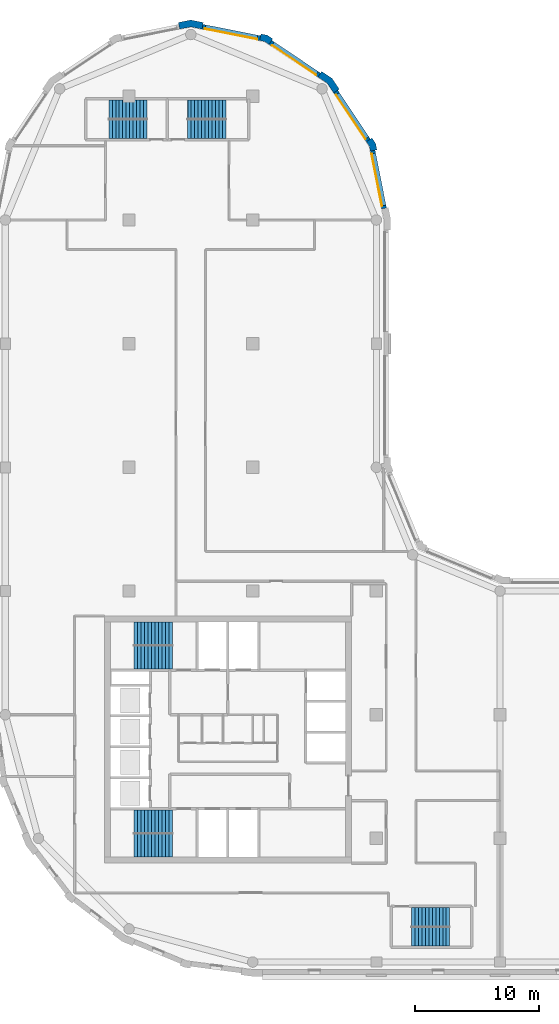
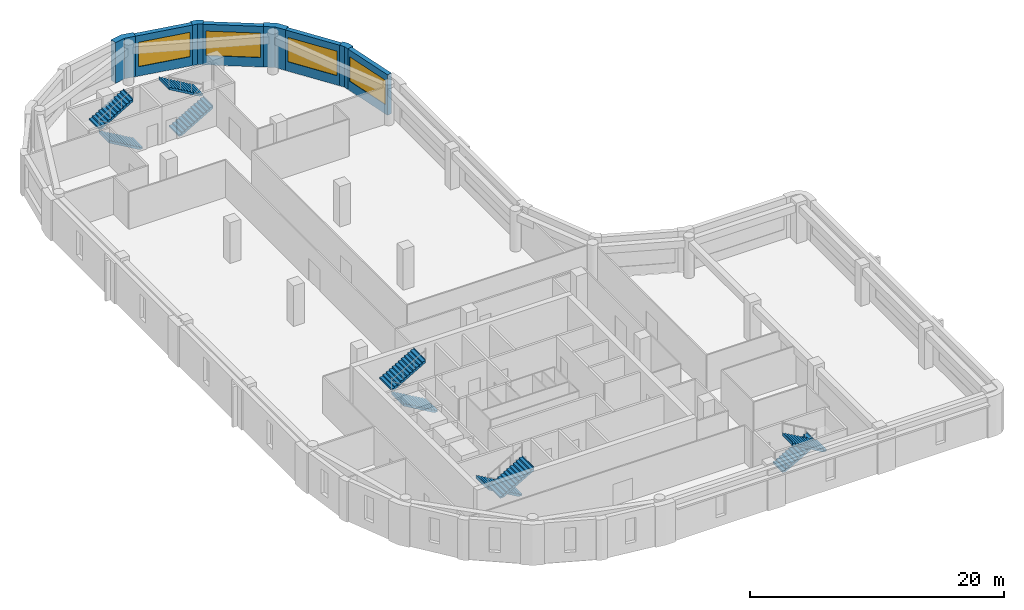
# One storey, part 6 of 8: 10 stair flights, 8 walls, 4 windows, 4 openings, 5 elements without a shape of their own.
"""IFC4 building model written with IfcOpenShell, lengths in metres."""

import ifcopenshell
import ifcopenshell.guid

model = None  # the IFC model being written
_history = None  # IfcOwnerHistory: only IFC2X3 demands one
_inside = {}  # id of a spatial element -> (the spatial element, [elements in it])
_under = {}  # id of a project, library or spatial element -> (it, [spatial elements below it])
_declared = {}  # id of a project -> (the project, [libraries it declares])
_typed = {}  # id of a type object -> (the type object, [elements of that type])
_made_of = {}  # id of a material, layer set ... -> (it, [elements and type objects made of it])


def new_model(schema):
    """Start an empty IFC model of exactly this schema.

    Asked for "IFC4X3", IfcOpenShell would pick the latest addendum, in which some entities
    have other attributes; the version numbers below select the first issue.
    IFC2X3 requires an IfcOwnerHistory on every rooted entity: one is made here for all.
    """
    global model, _history
    if schema == "IFC4X3":
        model = ifcopenshell.file(schema_version=(4, 3, 0, 0))
    else:
        model = ifcopenshell.file(schema=schema)
    _inside.clear()
    _under.clear()
    _declared.clear()
    _typed.clear()
    _made_of.clear()
    _history = None
    if model.schema == "IFC2X3":
        org = make("IfcOrganization", Name="unknown")
        user = make(
            "IfcPersonAndOrganization",
            ThePerson=make("IfcPerson", FamilyName="unknown"),
            TheOrganization=org,
        )
        app = make(
            "IfcApplication",
            ApplicationDeveloper=org,
            Version="unknown",
            ApplicationFullName="unknown",
            ApplicationIdentifier="unknown",
        )
        _history = make(
            "IfcOwnerHistory",
            OwningUser=user,
            OwningApplication=app,
            ChangeAction="ADDED",
            CreationDate=0,
        )
    return model


def make(cls, **values):
    """One entity of the class cls with the attributes given. An attribute that is None is left unset."""
    return model.create_entity(
        cls, **{name: value for name, value in values.items() if value is not None}
    )


def rooted(cls, **values):
    """An entity with a GlobalId (a new one), such as an element, a storey or a relation."""
    return make(cls, GlobalId=ifcopenshell.guid.new(), OwnerHistory=_history, **values)


def si_unit(unit_type, name, prefix=None):
    """IfcSIUnit, for example si_unit("LENGTHUNIT", "METRE", prefix="MILLI")."""
    return make("IfcSIUnit", UnitType=unit_type, Prefix=prefix, Name=name)


def assignment(units):
    """IfcUnitAssignment: the units of a project."""
    return None if units is None else make("IfcUnitAssignment", Units=units)


def point(xyz):
    """IfcCartesianPoint."""
    return None if xyz is None else make("IfcCartesianPoint", Coordinates=xyz)


def direction(xyz):
    """IfcDirection."""
    return None if xyz is None else make("IfcDirection", DirectionRatios=xyz)


def frame(location, z_axis=None, x_axis=None):
    """IfcAxis2Placement3D, a coordinate frame: its origin and axes. An axis left out is left unset."""
    return make(
        "IfcAxis2Placement3D",
        Location=point(location),
        Axis=direction(z_axis),
        RefDirection=direction(x_axis),
    )


def frame_2d(location, x_axis=None):
    """IfcAxis2Placement2D, a coordinate frame in the plane: its origin and x axis."""
    return make(
        "IfcAxis2Placement2D", Location=point(location), RefDirection=direction(x_axis)
    )


def origin():
    """The frame at (0, 0, 0) with its axes left unset."""
    return frame((0.0, 0.0, 0.0))


def place(relative_to, where):
    """IfcLocalPlacement: puts the frame where relative to a parent placement (None: the world)."""
    return make(
        "IfcLocalPlacement", PlacementRelTo=relative_to, RelativePlacement=where
    )


def context(
    kind, dimensions, precision=None, world=None, true_north=None, identifier=None
):
    """IfcGeometricRepresentationContext, for example the 3D "Model" context."""
    return make(
        "IfcGeometricRepresentationContext",
        ContextIdentifier=identifier,
        ContextType=kind,
        CoordinateSpaceDimension=dimensions,
        Precision=precision,
        WorldCoordinateSystem=world,
        TrueNorth=true_north,
    )


def subcontext(parent, identifier, kind, view, scale=None):
    """IfcGeometricRepresentationSubContext, for example "Body" below "Model"."""
    return make(
        "IfcGeometricRepresentationSubContext",
        ContextIdentifier=identifier,
        ContextType=kind,
        ParentContext=parent,
        TargetScale=scale,
        TargetView=view,
    )


def project(units=None, contexts=None):
    """IfcProject with its units and contexts."""
    return rooted(
        "IfcProject",
        Name="project",
        RepresentationContexts=contexts,
        UnitsInContext=assignment(units),
    )


def spatial(cls, under=None, at=None, **own):
    """A site, building, storey or space (cls), placed at a placement, below another one or the project."""
    s = rooted(cls, ObjectPlacement=at, **own)
    if under is not None:
        _under.setdefault(under.id(), (under, []))[1].append(s)
    return s


def polyline(points):
    """IfcPolyline through the points."""
    return make("IfcPolyline", Points=[point(p) for p in points])


def profile(cls, at=None, kind="AREA", **sizes):
    """A parametric profile (cls). Its sizes go by their IFC names, for example OverallWidth=200.0."""
    return make(cls, ProfileType=kind, Position=at, **sizes)


def rectangle(**sizes):
    """IfcRectangleProfileDef."""
    return profile("IfcRectangleProfileDef", **sizes)


def outline(outer, holes=None, kind="AREA"):
    """IfcArbitraryClosedProfileDef: a profile drawn as a closed curve; with holes, ...WithVoids."""
    if holes is None:
        return make("IfcArbitraryClosedProfileDef", ProfileType=kind, OuterCurve=outer)
    return make(
        "IfcArbitraryProfileDefWithVoids",
        ProfileType=kind,
        OuterCurve=outer,
        InnerCurves=holes,
    )


def extrude(swept, where, along, depth):
    """IfcExtrudedAreaSolid: the profile swept, set in the frame where, extruded along a direction by depth."""
    return make(
        "IfcExtrudedAreaSolid",
        SweptArea=swept,
        Position=where,
        ExtrudedDirection=direction(along),
        Depth=depth,
    )


def shape(context_of_items, identifier, shape_type, items):
    """IfcShapeRepresentation: the items that make up one representation, for example the "Body"."""
    return make(
        "IfcShapeRepresentation",
        ContextOfItems=context_of_items,
        RepresentationIdentifier=identifier,
        RepresentationType=shape_type,
        Items=items,
    )


def material(Name=None, Category=None):
    """IfcMaterial."""
    return make("IfcMaterial", Name=Name, Category=Category)


def layer(
    of_material, thickness, ventilated=None, Name=None, Category=None, Priority=None
):
    """IfcMaterialLayer: one layer of a wall or slab, of a material (None: an air gap)."""
    return make(
        "IfcMaterialLayer",
        Material=of_material,
        LayerThickness=thickness,
        IsVentilated=ventilated,
        Name=Name,
        Category=Category,
        Priority=Priority,
    )


def layer_set(layers, Name=None):
    """IfcMaterialLayerSet."""
    return make("IfcMaterialLayerSet", MaterialLayers=layers, LayerSetName=Name)


def made_of(thing, what):
    """Note that an element or type object is made of a material, layer set ...; save() writes the relation."""
    if what is not None:
        _made_of.setdefault(what.id(), (what, []))[1].append(thing)
    return thing


def type_object(cls, material=None, **own):
    """A type object (cls), such as IfcWallType, which elements share."""
    return made_of(rooted(cls, **own), material)


def element(
    cls,
    number,
    at=None,
    inside=None,
    cuts=None,
    type_object=None,
    material=None,
    context=None,
    identifier="Body",
    shape_type=None,
    held_by="IfcProductDefinitionShape",
    body=None,
    shapes=None,
    **own,
):
    """One element of the class cls, such as IfcWall. Its Tag is "e" and its number.

    at: its placement. inside: the storey or other place that contains it. cuts: it is an
    opening in that element (IfcRelVoidsElement). A single representation is given by context,
    identifier, shape_type and body (its items); several are given by shapes. held_by: the class
    of the entity that holds the representations. save() writes the other relations.
    """
    e = rooted(cls, Tag="e%d" % number, ObjectPlacement=at, **own)
    if body is not None:
        shapes = [shape(context, identifier, shape_type, body)]
    if shapes is not None:
        e.Representation = make(held_by, Representations=shapes)
    if inside is not None:
        _inside.setdefault(inside.id(), (inside, []))[1].append(e)
    if cuts is not None:
        rooted(
            "IfcRelVoidsElement", RelatingBuildingElement=cuts, RelatedOpeningElement=e
        )
    if type_object is not None:
        _typed.setdefault(type_object.id(), (type_object, []))[1].append(e)
    return made_of(e, material)


def fill(opening, filler):
    """IfcRelFillsElement: the door or window that sits in an opening."""
    return rooted(
        "IfcRelFillsElement",
        RelatingOpeningElement=opening,
        RelatedBuildingElement=filler,
    )


def aggregate(whole, parts):
    """IfcRelAggregates: a whole, such as a stair, and the parts it consists of."""
    return rooted("IfcRelAggregates", RelatingObject=whole, RelatedObjects=parts)


def save(model, path):
    """Write the relations noted so far, then the file.

    IfcRelAggregates (storeys below a building ...), IfcRelContainedInSpatialStructure (elements
    in a storey), IfcRelDefinesByType, IfcRelAssociatesMaterial and IfcRelDeclares: one each for
    every whole, place, type object, material and project.
    """
    for whole, parts in _under.values():
        aggregate(whole, parts)
    for where, things in _inside.values():
        rooted(
            "IfcRelContainedInSpatialStructure",
            RelatedElements=things,
            RelatingStructure=where,
        )
    for kind, things in _typed.values():
        rooted("IfcRelDefinesByType", RelatedObjects=things, RelatingType=kind)
    for what, things in _made_of.values():
        rooted("IfcRelAssociatesMaterial", RelatedObjects=things, RelatingMaterial=what)
    for by, libraries in _declared.values():
        rooted("IfcRelDeclares", RelatingContext=by, RelatedDefinitions=libraries)
    model.write(path)


model = new_model("IFC4")

# Units and contexts
model_context = context("Model", 3, precision=1e-05, world=origin(), true_north=direction((0.0, 1.0)))
body_context = subcontext(model_context, "Body", "Model", "MODEL_VIEW")
ifc_project = project(units=[si_unit("LENGTHUNIT", "METRE"), si_unit("AREAUNIT", "SQUARE_METRE"), si_unit("VOLUMEUNIT", "CUBIC_METRE"), si_unit("PLANEANGLEUNIT", "RADIAN"), si_unit("MASSUNIT", "GRAM", prefix="KILO")], contexts=[model_context])

# Site, building, storey
site_placement = place(None, origin())
site = spatial("IfcSite", under=ifc_project, at=site_placement, CompositionType="ELEMENT")
building_placement = place(site_placement, origin())
building = spatial("IfcBuilding", under=site, at=building_placement, Name="Qaws Garden Tower", CompositionType="ELEMENT")
storey_placement = place(building_placement, frame((0.0, 0.0, 274.800048828125)))
storey = spatial("IfcBuildingStorey", under=building, at=storey_placement, Name="L66", CompositionType="ELEMENT", Elevation=274.800048828125)

# Wall, opening, window
ifc_material_1 = material(Name="Buff clay facing brick masonry", Category="masonry")
ifc_layer_1 = layer(ifc_material_1, 0.39990234375)
ifc_layer_set_1 = layer_set([ifc_layer_1], Name="Buff clay facing brick masonry")
wall_type_1 = type_object("IfcWallType", Name="Buff brick infill wall 400", PredefinedType="SOLIDWALL", material=ifc_layer_set_1)
wall_1_placement = place(storey_placement, frame((30.628662109375, 60.940673828125, 0.0), z_axis=(0.0, 0.0, 1.0), x_axis=(-0.195098533057, 0.98078364709, 0.0)))
wall_1 = element("IfcWall", 1, at=wall_1_placement, inside=storey, type_object=wall_type_1, Name="E-L66-infill-11", PredefinedType="SOLIDWALL", context=body_context, shape_type="SweptSolid", body=[
    extrude(rectangle(XDim=4.752685546875, YDim=0.39990234375, at=frame_2d((2.37646484375, 0.0))), origin(), (0.0, 0.0, 1.0), 3.89990234375),
])
opening_1_placement = place(wall_1_placement, frame((0.226318359375, 0.0, 0.89990234375)))
opening_1 = element("IfcOpeningElement", 2, at=opening_1_placement, cuts=wall_1, Name="Opening W06", PredefinedType="OPENING", context=body_context, shape_type="SweptSolid", body=[
    extrude(rectangle(XDim=4.300048828125, YDim=2.35009765625, at=frame_2d((2.14990234375, 1.175048828125))), frame((0.0, 0.2099609375, 0.0), z_axis=(0.0, -1.0, 0.0), x_axis=(1.0, 0.0, 0.0)), (0.0, 0.0, 1.0), 0.419921875),
])
ifc_material_2 = material(Name="Aluminium framed window, clear glazing", Category="aluminium")
window_type = type_object("IfcWindowType", Name="Ribbon window 4300 x 2350", PartitioningType="DOUBLE_PANEL_VERTICAL", PredefinedType="WINDOW", material=ifc_material_2)
window_1_placement = place(opening_1_placement, origin())
window_1 = element("IfcWindow", 3, at=window_1_placement, inside=storey, type_object=window_type, Name="E-L66-window-11-0", OverallHeight=2.35009765625, OverallWidth=4.300048828125, PartitioningType="SINGLE_PANEL", PredefinedType="WINDOW", context=body_context, shape_type="SweptSolid", body=[
    extrude(rectangle(XDim=4.300048828125, YDim=2.35009765625, at=frame_2d((2.14990234375, 1.175048828125))), frame((0.0, 0.159912109375, 0.0), z_axis=(0.0, -1.0, 0.0), x_axis=(1.0, 0.0, 0.0)), (0.0, 0.0, 1.0), 0.06005859375),
])
fill(opening_1, window_1)

wall_2_placement = place(storey_placement, frame((29.356689453125, 66.43408203125, 0.0), z_axis=(0.0, 0.0, 1.0), x_axis=(-0.555541552266, 0.831488775454, 0.0)))
wall_2 = element("IfcWall", 4, at=wall_2_placement, inside=storey, type_object=wall_type_1, Name="E-L66-infill-12", PredefinedType="SOLIDWALL", context=body_context, shape_type="SweptSolid", body=[
    extrude(rectangle(XDim=4.752685546875, YDim=0.39990234375, at=frame_2d((2.37646484375, 0.0))), origin(), (0.0, 0.0, 1.0), 3.89990234375),
])
opening_2_placement = place(wall_2_placement, frame((0.226318359375, 0.0, 0.89990234375)))
opening_2 = element("IfcOpeningElement", 5, at=opening_2_placement, cuts=wall_2, Name="Opening W06", PredefinedType="OPENING", context=body_context, shape_type="SweptSolid", body=[
    extrude(rectangle(XDim=4.300048828125, YDim=2.35009765625, at=frame_2d((2.14990234375, 1.175048828125))), frame((0.0, 0.2099609375, 0.0), z_axis=(0.0, -1.0, 0.0), x_axis=(1.0, 0.0, 0.0)), (0.0, 0.0, 1.0), 0.419921875),
])
window_2_placement = place(opening_2_placement, origin())
window_2 = element("IfcWindow", 6, at=window_2_placement, inside=storey, type_object=window_type, Name="E-L66-window-12-0", OverallHeight=2.35009765625, OverallWidth=4.300048828125, PartitioningType="SINGLE_PANEL", PredefinedType="WINDOW", context=body_context, shape_type="SweptSolid", body=[
    extrude(rectangle(XDim=4.300048828125, YDim=2.35009765625, at=frame_2d((2.14990234375, 1.175048828125))), frame((0.0, 0.159912109375, 0.0), z_axis=(0.0, -1.0, 0.0), x_axis=(1.0, 0.0, 0.0)), (0.0, 0.0, 1.0), 0.06005859375),
])
fill(opening_2, window_2)

wall_3_placement = place(storey_placement, frame((25.385986328125, 71.71630859375, 0.0), z_axis=(0.0, 0.0, 1.0), x_axis=(-0.831488775454, 0.555541552266, 0.0)))
wall_3 = element("IfcWall", 7, at=wall_3_placement, inside=storey, type_object=wall_type_1, Name="E-L66-infill-13", PredefinedType="SOLIDWALL", context=body_context, shape_type="SweptSolid", body=[
    extrude(rectangle(XDim=4.752685546875, YDim=0.39990234375, at=frame_2d((2.37646484375, 0.0))), origin(), (0.0, 0.0, 1.0), 3.89990234375),
])
opening_3_placement = place(wall_3_placement, frame((0.226318359375, 0.0, 0.89990234375)))
opening_3 = element("IfcOpeningElement", 8, at=opening_3_placement, cuts=wall_3, Name="Opening W06", PredefinedType="OPENING", context=body_context, shape_type="SweptSolid", body=[
    extrude(rectangle(XDim=4.300048828125, YDim=2.35009765625, at=frame_2d((2.14990234375, 1.175048828125))), frame((0.0, 0.2099609375, 0.0), z_axis=(0.0, -1.0, 0.0), x_axis=(1.0, 0.0, 0.0)), (0.0, 0.0, 1.0), 0.419921875),
])
window_3_placement = place(opening_3_placement, origin())
window_3 = element("IfcWindow", 9, at=window_3_placement, inside=storey, type_object=window_type, Name="E-L66-window-13-0", OverallHeight=2.35009765625, OverallWidth=4.300048828125, PartitioningType="SINGLE_PANEL", PredefinedType="WINDOW", context=body_context, shape_type="SweptSolid", body=[
    extrude(rectangle(XDim=4.300048828125, YDim=2.35009765625, at=frame_2d((2.14990234375, 1.175048828125))), frame((0.0, 0.159912109375, 0.0), z_axis=(0.0, -1.0, 0.0), x_axis=(1.0, 0.0, 0.0)), (0.0, 0.0, 1.0), 0.06005859375),
])
fill(opening_3, window_3)

wall_4_placement = place(storey_placement, frame((20.60205078125, 74.701416015625, 0.0), z_axis=(0.0, 0.0, 1.0), x_axis=(-0.98078364709, 0.195098533057, 0.0)))
wall_4 = element("IfcWall", 10, at=wall_4_placement, inside=storey, type_object=wall_type_1, Name="E-L66-infill-14", PredefinedType="SOLIDWALL", context=body_context, shape_type="SweptSolid", body=[
    extrude(rectangle(XDim=4.752685546875, YDim=0.39990234375, at=frame_2d((2.37646484375, 0.0))), origin(), (0.0, 0.0, 1.0), 3.89990234375),
])
opening_4_placement = place(wall_4_placement, frame((0.226318359375, 0.0, 0.89990234375)))
opening_4 = element("IfcOpeningElement", 11, at=opening_4_placement, cuts=wall_4, Name="Opening W06", PredefinedType="OPENING", context=body_context, shape_type="SweptSolid", body=[
    extrude(rectangle(XDim=4.300048828125, YDim=2.35009765625, at=frame_2d((2.14990234375, 1.175048828125))), frame((0.0, 0.2099609375, 0.0), z_axis=(0.0, -1.0, 0.0), x_axis=(1.0, 0.0, 0.0)), (0.0, 0.0, 1.0), 0.419921875),
])
window_4_placement = place(opening_4_placement, origin())
window_4 = element("IfcWindow", 12, at=window_4_placement, inside=storey, type_object=window_type, Name="E-L66-window-14-0", OverallHeight=2.35009765625, OverallWidth=4.300048828125, PartitioningType="SINGLE_PANEL", PredefinedType="WINDOW", context=body_context, shape_type="SweptSolid", body=[
    extrude(rectangle(XDim=4.300048828125, YDim=2.35009765625, at=frame_2d((2.14990234375, 1.175048828125))), frame((0.0, 0.159912109375, 0.0), z_axis=(0.0, -1.0, 0.0), x_axis=(1.0, 0.0, 0.0)), (0.0, 0.0, 1.0), 0.06005859375),
])
fill(opening_4, window_4)

# Walls
ifc_material_3 = material(Name="Buff clay facing brick masonry", Category="masonry")
ifc_layer_2 = layer(ifc_material_3, 0.550048828125)
ifc_layer_set_2 = layer_set([ifc_layer_2], Name="Buff clay facing brick masonry")
wall_type_2 = type_object("IfcWallType", Name="Buff brick kink pier 550 x 600", PredefinedType="SOLIDWALL", material=ifc_layer_set_2)
placement = place(storey_placement, origin())
element("IfcWall", 13, at=placement, inside=storey, type_object=wall_type_2, Name="E-L66-pier-12", PredefinedType="SOLIDWALL", context=body_context, shape_type="SweptSolid", body=[
    extrude(outline(polyline([(29.8974609375, 65.64111328125), (30.044677734375, 65.67041015625), (29.94140625, 66.18896484375), (29.647705078125, 66.628662109375), (29.52294921875, 66.545166015625), (29.1904296875, 66.322998046875), (29.42333984375, 65.974365234375), (29.505126953125, 65.56298828125), (29.8974609375, 65.64111328125)])), origin(), (0.0, 0.0, 1.0), 3.89990234375),
])
element("IfcWall", 14, at=placement, inside=storey, type_object=wall_type_2, Name="E-L66-pier-14", PredefinedType="SOLIDWALL", context=body_context, shape_type="SweptSolid", body=[
    extrude(outline(polyline([(21.545166015625, 74.52294921875), (21.628662109375, 74.647705078125), (21.18896484375, 74.94140625), (20.67041015625, 75.044677734375), (20.64111328125, 74.8974609375), (20.56298828125, 74.505126953125), (20.974365234375, 74.42333984375), (21.322998046875, 74.1904296875), (21.545166015625, 74.52294921875)])), origin(), (0.0, 0.0, 1.0), 3.89990234375),
])
ifc_material_4 = material(Name="Buff clay facing brick masonry", Category="masonry")
ifc_layer_3 = layer(ifc_material_4, 0.550048828125)
ifc_layer_set_3 = layer_set([ifc_layer_3], Name="Buff clay facing brick masonry")
wall_type_3 = type_object("IfcWallType", Name="Buff brick pier 550 x 1600", PredefinedType="SOLIDWALL", material=ifc_layer_set_3)
element("IfcWall", 15, at=placement, inside=storey, type_object=wall_type_3, Name="E-L66-pier-13", PredefinedType="SOLIDWALL", context=body_context, shape_type="SweptSolid", body=[
    extrude(outline(polyline([(26.882568359375, 70.4970703125), (27.00732421875, 70.580322265625), (26.435791015625, 71.435791015625), (25.580322265625, 72.00732421875), (25.4970703125, 71.882568359375), (25.274658203125, 71.550048828125), (26.0390625, 71.0390625), (26.550048828125, 70.274658203125), (26.882568359375, 70.4970703125)])), origin(), (0.0, 0.0, 1.0), 3.89990234375),
])
element("IfcWall", 16, at=placement, inside=storey, type_object=wall_type_3, Name="E-L66-pier-15", PredefinedType="SOLIDWALL", context=body_context, shape_type="SweptSolid", body=[
    extrude(outline(polyline([(15.979736328125, 75.82470703125), (16.009033203125, 75.971923828125), (15.0, 76.172607421875), (13.990966796875, 75.971923828125), (14.020263671875, 75.82470703125), (14.098388671875, 75.432373046875), (15.0, 75.61181640625), (15.901611328125, 75.432373046875), (15.979736328125, 75.82470703125)])), origin(), (0.0, 0.0, 1.0), 3.89990234375),
])

# Stair, stair flights
ifc_material_5 = material(Name="Concrete C40", Category="concrete")
stair_type_1 = type_object("IfcStairType", Name="Exit stair 1350", PredefinedType="HALF_TURN_STAIR", material=ifc_material_5)
stair_1 = element("IfcStair", 17, at=placement, inside=storey, type_object=stair_type_1, Name="Stair 5", PredefinedType="HALF_TURN_STAIR")
ifc_material_6 = material(Name="Concrete C40", Category="concrete")
stair_flight_type_1 = type_object("IfcStairFlightType", Name="Stair flight 1350", PredefinedType="STRAIGHT", material=ifc_material_6)
stair_flight_1_placement = place(storey_placement, frame((32.85009765625, 3.625, 0.0), z_axis=(0.0, 0.0, 1.0), x_axis=(1.0, 0.0, 0.0)))
stair_flight_1 = element("IfcStairFlight", 18, at=stair_flight_1_placement, type_object=stair_flight_type_1, Name="ST5 flight 1", NumberOfRisers=12, NumberOfTreads=11, PredefinedType="STRAIGHT", RiserHeight=0.1625, TreadLength=0.28, context=body_context, shape_type="SweptSolid", body=[
    extrude(outline(polyline([(-0.0029296875, 0.0), (-0.0029296875, 0.16259765625), (0.0, 0.16259765625), (0.280029296875, 0.16259765625), (0.280029296875, 0.324951171875), (0.56005859375, 0.324951171875), (0.56005859375, 0.487548828125), (0.840087890625, 0.487548828125), (0.840087890625, 0.64990234375), (1.1201171875, 0.64990234375), (1.1201171875, 0.8125), (1.39990234375, 0.8125), (1.39990234375, 0.97509765625), (1.679931640625, 0.97509765625), (1.679931640625, 1.137451171875), (1.9599609375, 1.137451171875), (1.9599609375, 1.300048828125), (2.239990234375, 1.300048828125), (2.239990234375, 1.46240234375), (2.52001953125, 1.46240234375), (2.52001953125, 1.625), (2.800048828125, 1.625), (2.800048828125, 1.78759765625), (3.080078125, 1.78759765625), (3.080078125, 1.949951171875), (3.0830078125, 1.949951171875), (3.0830078125, 1.6142578125), (3.080078125, 1.6142578125), (0.298583984375, 0.0), (-0.0029296875, 0.0)])), frame((0.0, 0.77490234375, 0.0), z_axis=(0.0, -1.0, 0.0), x_axis=(1.0, 0.0, 0.0)), (0.0, 0.0, 1.0), 1.550048828125),
])
stair_flight_2_placement = place(storey_placement, frame((35.929931640625, 2.074951171875, 1.949951171875), z_axis=(0.0, 0.0, 1.0), x_axis=(-1.0, 0.0, 0.0)))
stair_flight_2 = element("IfcStairFlight", 19, at=stair_flight_2_placement, type_object=stair_flight_type_1, Name="ST5 flight 2", NumberOfRisers=12, NumberOfTreads=11, PredefinedType="STRAIGHT", RiserHeight=0.1625, TreadLength=0.28, context=body_context, shape_type="SweptSolid", body=[
    extrude(outline(polyline([(-0.0029296875, 0.0), (-0.0029296875, 0.16259765625), (0.0, 0.16259765625), (0.280029296875, 0.16259765625), (0.280029296875, 0.324951171875), (0.56005859375, 0.324951171875), (0.56005859375, 0.487548828125), (0.840087890625, 0.487548828125), (0.840087890625, 0.64990234375), (1.1201171875, 0.64990234375), (1.1201171875, 0.8125), (1.39990234375, 0.8125), (1.39990234375, 0.97509765625), (1.679931640625, 0.97509765625), (1.679931640625, 1.137451171875), (1.9599609375, 1.137451171875), (1.9599609375, 1.300048828125), (2.239990234375, 1.300048828125), (2.239990234375, 1.46240234375), (2.52001953125, 1.46240234375), (2.52001953125, 1.625), (2.800048828125, 1.625), (2.800048828125, 1.78759765625), (3.080078125, 1.78759765625), (3.080078125, 1.949951171875), (3.0830078125, 1.949951171875), (3.0830078125, 1.6142578125), (3.080078125, 1.6142578125), (0.298583984375, 0.0), (-0.0029296875, 0.0)])), frame((0.0, 0.77490234375, 0.0), z_axis=(0.0, -1.0, 0.0), x_axis=(1.0, 0.0, 0.0)), (0.0, 0.0, 1.0), 1.550048828125),
])
aggregate(stair_1, [stair_flight_1, stair_flight_2])

stair_2 = element("IfcStair", 20, at=placement, inside=storey, type_object=stair_type_1, Name="Stair 6", PredefinedType="HALF_TURN_STAIR")
stair_flight_3_placement = place(storey_placement, frame((11.449951171875, 67.375, 0.0), z_axis=(0.0, 0.0, 1.0), x_axis=(-1.0, 0.0, 0.0)))
stair_flight_3 = element("IfcStairFlight", 21, at=stair_flight_3_placement, type_object=stair_flight_type_1, Name="ST6 flight 1", NumberOfRisers=12, NumberOfTreads=11, PredefinedType="STRAIGHT", RiserHeight=0.1625, TreadLength=0.28, context=body_context, shape_type="SweptSolid", body=[
    extrude(outline(polyline([(-0.0029296875, 0.0), (-0.0029296875, 0.16259765625), (0.0, 0.16259765625), (0.280029296875, 0.16259765625), (0.280029296875, 0.324951171875), (0.56005859375, 0.324951171875), (0.56005859375, 0.487548828125), (0.840087890625, 0.487548828125), (0.840087890625, 0.64990234375), (1.1201171875, 0.64990234375), (1.1201171875, 0.8125), (1.39990234375, 0.8125), (1.39990234375, 0.97509765625), (1.679931640625, 0.97509765625), (1.679931640625, 1.137451171875), (1.9599609375, 1.137451171875), (1.9599609375, 1.300048828125), (2.239990234375, 1.300048828125), (2.239990234375, 1.46240234375), (2.52001953125, 1.46240234375), (2.52001953125, 1.625), (2.800048828125, 1.625), (2.800048828125, 1.78759765625), (3.080078125, 1.78759765625), (3.080078125, 1.949951171875), (3.0830078125, 1.949951171875), (3.0830078125, 1.6142578125), (3.080078125, 1.6142578125), (0.298583984375, 0.0), (-0.0029296875, 0.0)])), frame((0.0, 0.77490234375, 0.0), z_axis=(0.0, -1.0, 0.0), x_axis=(1.0, 0.0, 0.0)), (0.0, 0.0, 1.0), 1.550048828125),
])
stair_flight_4_placement = place(storey_placement, frame((8.3701171875, 68.925048828125, 1.949951171875), z_axis=(0.0, 0.0, 1.0), x_axis=(1.0, 0.0, 0.0)))
stair_flight_4 = element("IfcStairFlight", 22, at=stair_flight_4_placement, type_object=stair_flight_type_1, Name="ST6 flight 2", NumberOfRisers=12, NumberOfTreads=11, PredefinedType="STRAIGHT", RiserHeight=0.1625, TreadLength=0.28, context=body_context, shape_type="SweptSolid", body=[
    extrude(outline(polyline([(-0.0029296875, 0.0), (-0.0029296875, 0.16259765625), (0.0, 0.16259765625), (0.280029296875, 0.16259765625), (0.280029296875, 0.324951171875), (0.56005859375, 0.324951171875), (0.56005859375, 0.487548828125), (0.840087890625, 0.487548828125), (0.840087890625, 0.64990234375), (1.1201171875, 0.64990234375), (1.1201171875, 0.8125), (1.39990234375, 0.8125), (1.39990234375, 0.97509765625), (1.679931640625, 0.97509765625), (1.679931640625, 1.137451171875), (1.9599609375, 1.137451171875), (1.9599609375, 1.300048828125), (2.239990234375, 1.300048828125), (2.239990234375, 1.46240234375), (2.52001953125, 1.46240234375), (2.52001953125, 1.625), (2.800048828125, 1.625), (2.800048828125, 1.78759765625), (3.080078125, 1.78759765625), (3.080078125, 1.949951171875), (3.0830078125, 1.949951171875), (3.0830078125, 1.6142578125), (3.080078125, 1.6142578125), (0.298583984375, 0.0), (-0.0029296875, 0.0)])), frame((0.0, 0.77490234375, 0.0), z_axis=(0.0, -1.0, 0.0), x_axis=(1.0, 0.0, 0.0)), (0.0, 0.0, 1.0), 1.550048828125),
])
aggregate(stair_2, [stair_flight_3, stair_flight_4])

stair_3 = element("IfcStair", 23, at=placement, inside=storey, type_object=stair_type_1, Name="Stair 7", PredefinedType="HALF_TURN_STAIR")
stair_flight_5_placement = place(storey_placement, frame((14.75, 67.375, 0.0), z_axis=(0.0, 0.0, 1.0), x_axis=(1.0, 0.0, 0.0)))
stair_flight_5 = element("IfcStairFlight", 24, at=stair_flight_5_placement, type_object=stair_flight_type_1, Name="ST7 flight 1", NumberOfRisers=12, NumberOfTreads=11, PredefinedType="STRAIGHT", RiserHeight=0.1625, TreadLength=0.28, context=body_context, shape_type="SweptSolid", body=[
    extrude(outline(polyline([(-0.0029296875, 0.0), (-0.0029296875, 0.16259765625), (0.0, 0.16259765625), (0.280029296875, 0.16259765625), (0.280029296875, 0.324951171875), (0.56005859375, 0.324951171875), (0.56005859375, 0.487548828125), (0.840087890625, 0.487548828125), (0.840087890625, 0.64990234375), (1.1201171875, 0.64990234375), (1.1201171875, 0.8125), (1.39990234375, 0.8125), (1.39990234375, 0.97509765625), (1.679931640625, 0.97509765625), (1.679931640625, 1.137451171875), (1.9599609375, 1.137451171875), (1.9599609375, 1.300048828125), (2.239990234375, 1.300048828125), (2.239990234375, 1.46240234375), (2.52001953125, 1.46240234375), (2.52001953125, 1.625), (2.800048828125, 1.625), (2.800048828125, 1.78759765625), (3.080078125, 1.78759765625), (3.080078125, 1.949951171875), (3.0830078125, 1.949951171875), (3.0830078125, 1.6142578125), (3.080078125, 1.6142578125), (0.298583984375, 0.0), (-0.0029296875, 0.0)])), frame((0.0, 0.77490234375, 0.0), z_axis=(0.0, -1.0, 0.0), x_axis=(1.0, 0.0, 0.0)), (0.0, 0.0, 1.0), 1.550048828125),
])
stair_flight_6_placement = place(storey_placement, frame((17.830078125, 68.925048828125, 1.949951171875), z_axis=(0.0, 0.0, 1.0), x_axis=(-1.0, 0.0, 0.0)))
stair_flight_6 = element("IfcStairFlight", 25, at=stair_flight_6_placement, type_object=stair_flight_type_1, Name="ST7 flight 2", NumberOfRisers=12, NumberOfTreads=11, PredefinedType="STRAIGHT", RiserHeight=0.1625, TreadLength=0.28, context=body_context, shape_type="SweptSolid", body=[
    extrude(outline(polyline([(-0.0029296875, 0.0), (-0.0029296875, 0.16259765625), (0.0, 0.16259765625), (0.280029296875, 0.16259765625), (0.280029296875, 0.324951171875), (0.56005859375, 0.324951171875), (0.56005859375, 0.487548828125), (0.840087890625, 0.487548828125), (0.840087890625, 0.64990234375), (1.1201171875, 0.64990234375), (1.1201171875, 0.8125), (1.39990234375, 0.8125), (1.39990234375, 0.97509765625), (1.679931640625, 0.97509765625), (1.679931640625, 1.137451171875), (1.9599609375, 1.137451171875), (1.9599609375, 1.300048828125), (2.239990234375, 1.300048828125), (2.239990234375, 1.46240234375), (2.52001953125, 1.46240234375), (2.52001953125, 1.625), (2.800048828125, 1.625), (2.800048828125, 1.78759765625), (3.080078125, 1.78759765625), (3.080078125, 1.949951171875), (3.0830078125, 1.949951171875), (3.0830078125, 1.6142578125), (3.080078125, 1.6142578125), (0.298583984375, 0.0), (-0.0029296875, 0.0)])), frame((0.0, 0.77490234375, 0.0), z_axis=(0.0, -1.0, 0.0), x_axis=(1.0, 0.0, 0.0)), (0.0, 0.0, 1.0), 1.550048828125),
])
aggregate(stair_3, [stair_flight_5, stair_flight_6])

ifc_material_7 = material(Name="Concrete C40", Category="concrete")
stair_type_2 = type_object("IfcStairType", Name="Exit stair 1500", PredefinedType="HALF_TURN_STAIR", material=ifc_material_7)
stair_4 = element("IfcStair", 26, at=placement, inside=storey, type_object=stair_type_2, Name="Stair 1", PredefinedType="HALF_TURN_STAIR")
ifc_material_8 = material(Name="Concrete C40", Category="concrete")
stair_flight_type_2 = type_object("IfcStairFlightType", Name="Stair flight 1500", PredefinedType="STRAIGHT", material=ifc_material_8)
stair_flight_7_placement = place(storey_placement, frame((13.5, 11.35009765625, 0.0), z_axis=(0.0, 0.0, 1.0), x_axis=(-1.0, 0.0, 0.0)))
stair_flight_7 = element("IfcStairFlight", 27, at=stair_flight_7_placement, type_object=stair_flight_type_2, Name="ST1 flight 1", NumberOfRisers=12, NumberOfTreads=11, PredefinedType="STRAIGHT", RiserHeight=0.1625, TreadLength=0.28, context=body_context, shape_type="SweptSolid", body=[
    extrude(outline(polyline([(-0.0029296875, 0.0), (-0.0029296875, 0.16259765625), (0.0, 0.16259765625), (0.280029296875, 0.16259765625), (0.280029296875, 0.324951171875), (0.56005859375, 0.324951171875), (0.56005859375, 0.487548828125), (0.840087890625, 0.487548828125), (0.840087890625, 0.64990234375), (1.1201171875, 0.64990234375), (1.1201171875, 0.8125), (1.39990234375, 0.8125), (1.39990234375, 0.97509765625), (1.679931640625, 0.97509765625), (1.679931640625, 1.137451171875), (1.9599609375, 1.137451171875), (1.9599609375, 1.300048828125), (2.239990234375, 1.300048828125), (2.239990234375, 1.46240234375), (2.52001953125, 1.46240234375), (2.52001953125, 1.625), (2.800048828125, 1.625), (2.800048828125, 1.78759765625), (3.080078125, 1.78759765625), (3.080078125, 1.949951171875), (3.0830078125, 1.949951171875), (3.0830078125, 1.6142578125), (3.080078125, 1.6142578125), (0.298583984375, 0.0), (-0.0029296875, 0.0)])), frame((0.0, 0.949951171875, 0.0), z_axis=(0.0, -1.0, 0.0), x_axis=(1.0, 0.0, 0.0)), (0.0, 0.0, 1.0), 1.89990234375),
])
stair_flight_8_placement = place(storey_placement, frame((10.419921875, 9.449951171875, 1.949951171875), z_axis=(0.0, 0.0, 1.0), x_axis=(1.0, 0.0, 0.0)))
stair_flight_8 = element("IfcStairFlight", 28, at=stair_flight_8_placement, type_object=stair_flight_type_2, Name="ST1 flight 2", NumberOfRisers=12, NumberOfTreads=11, PredefinedType="STRAIGHT", RiserHeight=0.1625, TreadLength=0.28, context=body_context, shape_type="SweptSolid", body=[
    extrude(outline(polyline([(-0.0029296875, 0.0), (-0.0029296875, 0.16259765625), (0.0, 0.16259765625), (0.280029296875, 0.16259765625), (0.280029296875, 0.324951171875), (0.56005859375, 0.324951171875), (0.56005859375, 0.487548828125), (0.840087890625, 0.487548828125), (0.840087890625, 0.64990234375), (1.1201171875, 0.64990234375), (1.1201171875, 0.8125), (1.39990234375, 0.8125), (1.39990234375, 0.97509765625), (1.679931640625, 0.97509765625), (1.679931640625, 1.137451171875), (1.9599609375, 1.137451171875), (1.9599609375, 1.300048828125), (2.239990234375, 1.300048828125), (2.239990234375, 1.46240234375), (2.52001953125, 1.46240234375), (2.52001953125, 1.625), (2.800048828125, 1.625), (2.800048828125, 1.78759765625), (3.080078125, 1.78759765625), (3.080078125, 1.949951171875), (3.0830078125, 1.949951171875), (3.0830078125, 1.6142578125), (3.080078125, 1.6142578125), (0.298583984375, 0.0), (-0.0029296875, 0.0)])), frame((0.0, 0.949951171875, 0.0), z_axis=(0.0, -1.0, 0.0), x_axis=(1.0, 0.0, 0.0)), (0.0, 0.0, 1.0), 1.89990234375),
])
aggregate(stair_4, [stair_flight_7, stair_flight_8])

stair_5 = element("IfcStair", 29, at=placement, inside=storey, type_object=stair_type_2, Name="Stair 4", PredefinedType="HALF_TURN_STAIR")
stair_flight_9_placement = place(storey_placement, frame((13.5, 24.64990234375, 0.0), z_axis=(0.0, 0.0, 1.0), x_axis=(-1.0, 0.0, 0.0)))
stair_flight_9 = element("IfcStairFlight", 30, at=stair_flight_9_placement, type_object=stair_flight_type_2, Name="ST4 flight 1", NumberOfRisers=12, NumberOfTreads=11, PredefinedType="STRAIGHT", RiserHeight=0.1625, TreadLength=0.28, context=body_context, shape_type="SweptSolid", body=[
    extrude(outline(polyline([(-0.0029296875, 0.0), (-0.0029296875, 0.16259765625), (0.0, 0.16259765625), (0.280029296875, 0.16259765625), (0.280029296875, 0.324951171875), (0.56005859375, 0.324951171875), (0.56005859375, 0.487548828125), (0.840087890625, 0.487548828125), (0.840087890625, 0.64990234375), (1.1201171875, 0.64990234375), (1.1201171875, 0.8125), (1.39990234375, 0.8125), (1.39990234375, 0.97509765625), (1.679931640625, 0.97509765625), (1.679931640625, 1.137451171875), (1.9599609375, 1.137451171875), (1.9599609375, 1.300048828125), (2.239990234375, 1.300048828125), (2.239990234375, 1.46240234375), (2.52001953125, 1.46240234375), (2.52001953125, 1.625), (2.800048828125, 1.625), (2.800048828125, 1.78759765625), (3.080078125, 1.78759765625), (3.080078125, 1.949951171875), (3.0830078125, 1.949951171875), (3.0830078125, 1.6142578125), (3.080078125, 1.6142578125), (0.298583984375, 0.0), (-0.0029296875, 0.0)])), frame((0.0, 0.94482421875, 0.0), z_axis=(0.0, -1.0, 0.0), x_axis=(1.0, 0.0, 0.0)), (0.0, 0.0, 1.0), 1.889892578125),
])
stair_flight_10_placement = place(storey_placement, frame((10.419921875, 26.550048828125, 1.949951171875), z_axis=(0.0, 0.0, 1.0), x_axis=(1.0, 0.0, 0.0)))
stair_flight_10 = element("IfcStairFlight", 31, at=stair_flight_10_placement, type_object=stair_flight_type_2, Name="ST4 flight 2", NumberOfRisers=12, NumberOfTreads=11, PredefinedType="STRAIGHT", RiserHeight=0.1625, TreadLength=0.28, context=body_context, shape_type="SweptSolid", body=[
    extrude(outline(polyline([(-0.0029296875, 0.0), (-0.0029296875, 0.16259765625), (0.0, 0.16259765625), (0.280029296875, 0.16259765625), (0.280029296875, 0.324951171875), (0.56005859375, 0.324951171875), (0.56005859375, 0.487548828125), (0.840087890625, 0.487548828125), (0.840087890625, 0.64990234375), (1.1201171875, 0.64990234375), (1.1201171875, 0.8125), (1.39990234375, 0.8125), (1.39990234375, 0.97509765625), (1.679931640625, 0.97509765625), (1.679931640625, 1.137451171875), (1.9599609375, 1.137451171875), (1.9599609375, 1.300048828125), (2.239990234375, 1.300048828125), (2.239990234375, 1.46240234375), (2.52001953125, 1.46240234375), (2.52001953125, 1.625), (2.800048828125, 1.625), (2.800048828125, 1.78759765625), (3.080078125, 1.78759765625), (3.080078125, 1.949951171875), (3.0830078125, 1.949951171875), (3.0830078125, 1.6142578125), (3.080078125, 1.6142578125), (0.298583984375, 0.0), (-0.0029296875, 0.0)])), frame((0.0, 0.94482421875, 0.0), z_axis=(0.0, -1.0, 0.0), x_axis=(1.0, 0.0, 0.0)), (0.0, 0.0, 1.0), 1.889892578125),
])
aggregate(stair_5, [stair_flight_9, stair_flight_10])

save(model, "model.ifc")
